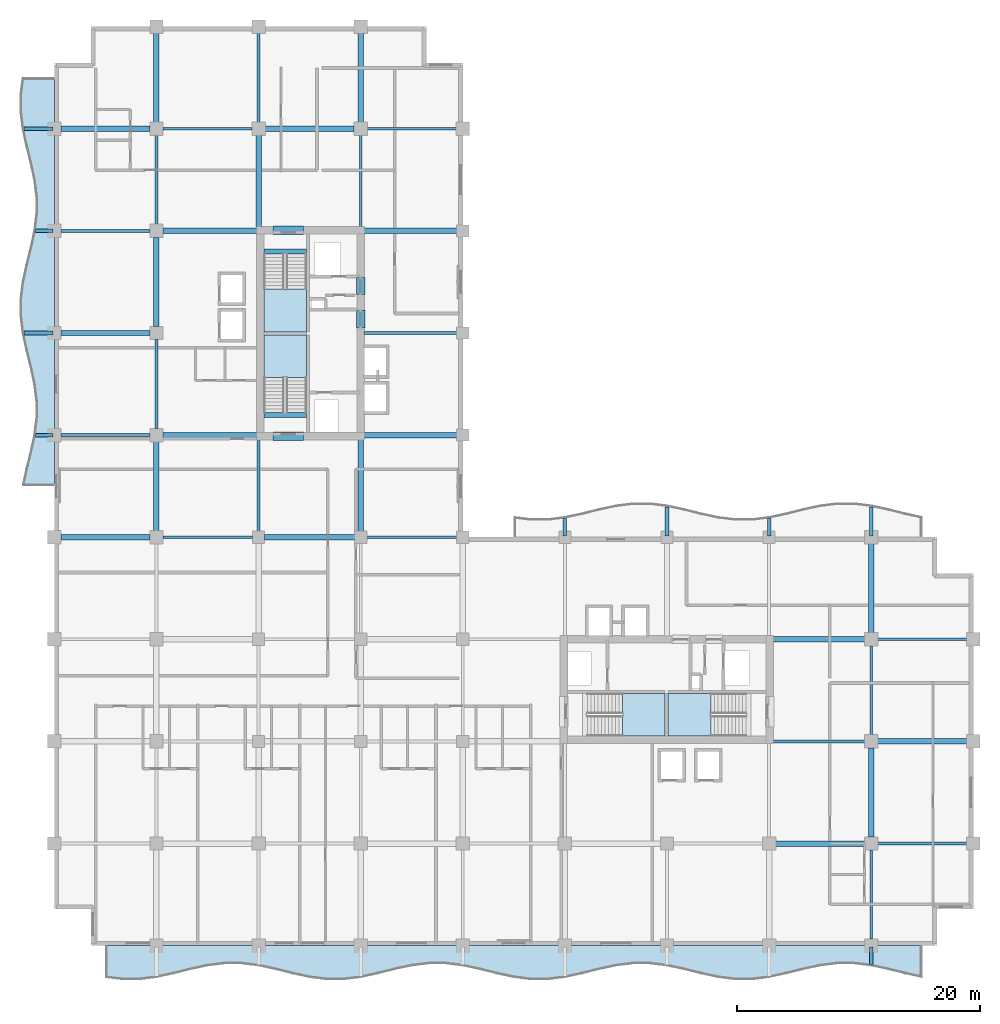
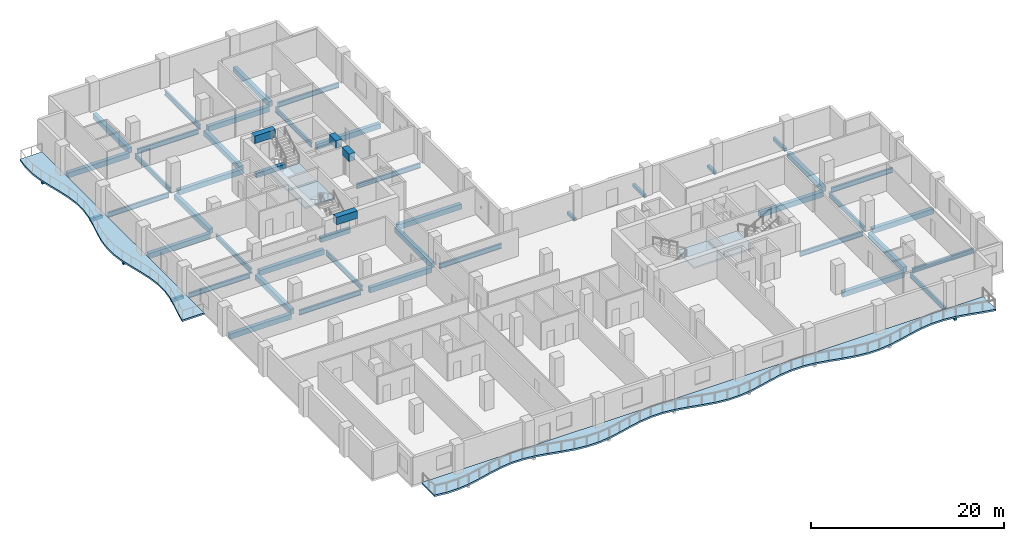
# One storey, part 2 of 14: 52 beams, 6 slabs, 4 elements without a shape of their own.
"""IFC4 building model written with IfcOpenShell, lengths in metres."""

import ifcopenshell
import ifcopenshell.guid

model = None  # the IFC model being written
_history = None  # IfcOwnerHistory: only IFC2X3 demands one
_inside = {}  # id of a spatial element -> (the spatial element, [elements in it])
_under = {}  # id of a project, library or spatial element -> (it, [spatial elements below it])
_declared = {}  # id of a project -> (the project, [libraries it declares])
_typed = {}  # id of a type object -> (the type object, [elements of that type])
_made_of = {}  # id of a material, layer set ... -> (it, [elements and type objects made of it])


def new_model(schema):
    """Start an empty IFC model of exactly this schema.

    Asked for "IFC4X3", IfcOpenShell would pick the latest addendum, in which some entities
    have other attributes; the version numbers below select the first issue.
    IFC2X3 requires an IfcOwnerHistory on every rooted entity: one is made here for all.
    """
    global model, _history
    if schema == "IFC4X3":
        model = ifcopenshell.file(schema_version=(4, 3, 0, 0))
    else:
        model = ifcopenshell.file(schema=schema)
    _inside.clear()
    _under.clear()
    _declared.clear()
    _typed.clear()
    _made_of.clear()
    _history = None
    if model.schema == "IFC2X3":
        org = make("IfcOrganization", Name="unknown")
        user = make(
            "IfcPersonAndOrganization",
            ThePerson=make("IfcPerson", FamilyName="unknown"),
            TheOrganization=org,
        )
        app = make(
            "IfcApplication",
            ApplicationDeveloper=org,
            Version="unknown",
            ApplicationFullName="unknown",
            ApplicationIdentifier="unknown",
        )
        _history = make(
            "IfcOwnerHistory",
            OwningUser=user,
            OwningApplication=app,
            ChangeAction="ADDED",
            CreationDate=0,
        )
    return model


def make(cls, **values):
    """One entity of the class cls with the attributes given. An attribute that is None is left unset."""
    return model.create_entity(
        cls, **{name: value for name, value in values.items() if value is not None}
    )


def rooted(cls, **values):
    """An entity with a GlobalId (a new one), such as an element, a storey or a relation."""
    return make(cls, GlobalId=ifcopenshell.guid.new(), OwnerHistory=_history, **values)


def si_unit(unit_type, name, prefix=None):
    """IfcSIUnit, for example si_unit("LENGTHUNIT", "METRE", prefix="MILLI")."""
    return make("IfcSIUnit", UnitType=unit_type, Prefix=prefix, Name=name)


def assignment(units):
    """IfcUnitAssignment: the units of a project."""
    return None if units is None else make("IfcUnitAssignment", Units=units)


def point(xyz):
    """IfcCartesianPoint."""
    return None if xyz is None else make("IfcCartesianPoint", Coordinates=xyz)


def direction(xyz):
    """IfcDirection."""
    return None if xyz is None else make("IfcDirection", DirectionRatios=xyz)


def frame(location, z_axis=None, x_axis=None):
    """IfcAxis2Placement3D, a coordinate frame: its origin and axes. An axis left out is left unset."""
    return make(
        "IfcAxis2Placement3D",
        Location=point(location),
        Axis=direction(z_axis),
        RefDirection=direction(x_axis),
    )


def frame_2d(location, x_axis=None):
    """IfcAxis2Placement2D, a coordinate frame in the plane: its origin and x axis."""
    return make(
        "IfcAxis2Placement2D", Location=point(location), RefDirection=direction(x_axis)
    )


def origin():
    """The frame at (0, 0, 0) with its axes left unset."""
    return frame((0.0, 0.0, 0.0))


def origin_2d():
    """The frame at (0, 0) in the plane with its x axis left unset."""
    return frame_2d((0.0, 0.0))


def place(relative_to, where):
    """IfcLocalPlacement: puts the frame where relative to a parent placement (None: the world)."""
    return make(
        "IfcLocalPlacement", PlacementRelTo=relative_to, RelativePlacement=where
    )


def context(
    kind, dimensions, precision=None, world=None, true_north=None, identifier=None
):
    """IfcGeometricRepresentationContext, for example the 3D "Model" context."""
    return make(
        "IfcGeometricRepresentationContext",
        ContextIdentifier=identifier,
        ContextType=kind,
        CoordinateSpaceDimension=dimensions,
        Precision=precision,
        WorldCoordinateSystem=world,
        TrueNorth=true_north,
    )


def subcontext(parent, identifier, kind, view, scale=None):
    """IfcGeometricRepresentationSubContext, for example "Body" below "Model"."""
    return make(
        "IfcGeometricRepresentationSubContext",
        ContextIdentifier=identifier,
        ContextType=kind,
        ParentContext=parent,
        TargetScale=scale,
        TargetView=view,
    )


def project(units=None, contexts=None):
    """IfcProject with its units and contexts."""
    return rooted(
        "IfcProject",
        Name="project",
        RepresentationContexts=contexts,
        UnitsInContext=assignment(units),
    )


def spatial(cls, under=None, at=None, **own):
    """A site, building, storey or space (cls), placed at a placement, below another one or the project."""
    s = rooted(cls, ObjectPlacement=at, **own)
    if under is not None:
        _under.setdefault(under.id(), (under, []))[1].append(s)
    return s


def polyline(points):
    """IfcPolyline through the points."""
    return make("IfcPolyline", Points=[point(p) for p in points])


def profile(cls, at=None, kind="AREA", **sizes):
    """A parametric profile (cls). Its sizes go by their IFC names, for example OverallWidth=200.0."""
    return make(cls, ProfileType=kind, Position=at, **sizes)


def rectangle(**sizes):
    """IfcRectangleProfileDef."""
    return profile("IfcRectangleProfileDef", **sizes)


def i_section(**sizes):
    """IfcIShapeProfileDef."""
    return profile("IfcIShapeProfileDef", **sizes)


def outline(outer, holes=None, kind="AREA"):
    """IfcArbitraryClosedProfileDef: a profile drawn as a closed curve; with holes, ...WithVoids."""
    if holes is None:
        return make("IfcArbitraryClosedProfileDef", ProfileType=kind, OuterCurve=outer)
    return make(
        "IfcArbitraryProfileDefWithVoids",
        ProfileType=kind,
        OuterCurve=outer,
        InnerCurves=holes,
    )


def extrude(swept, where, along, depth):
    """IfcExtrudedAreaSolid: the profile swept, set in the frame where, extruded along a direction by depth."""
    return make(
        "IfcExtrudedAreaSolid",
        SweptArea=swept,
        Position=where,
        ExtrudedDirection=direction(along),
        Depth=depth,
    )


def shape(context_of_items, identifier, shape_type, items):
    """IfcShapeRepresentation: the items that make up one representation, for example the "Body"."""
    return make(
        "IfcShapeRepresentation",
        ContextOfItems=context_of_items,
        RepresentationIdentifier=identifier,
        RepresentationType=shape_type,
        Items=items,
    )


def material(Name=None, Category=None):
    """IfcMaterial."""
    return make("IfcMaterial", Name=Name, Category=Category)


def layer(
    of_material, thickness, ventilated=None, Name=None, Category=None, Priority=None
):
    """IfcMaterialLayer: one layer of a wall or slab, of a material (None: an air gap)."""
    return make(
        "IfcMaterialLayer",
        Material=of_material,
        LayerThickness=thickness,
        IsVentilated=ventilated,
        Name=Name,
        Category=Category,
        Priority=Priority,
    )


def layer_set(layers, Name=None):
    """IfcMaterialLayerSet."""
    return make("IfcMaterialLayerSet", MaterialLayers=layers, LayerSetName=Name)


def material_profile(
    of_material, cross_section, Name=None, Category=None, Priority=None
):
    """IfcMaterialProfile: a cross section and its material."""
    return make(
        "IfcMaterialProfile",
        Name=Name,
        Material=of_material,
        Profile=cross_section,
        Priority=Priority,
        Category=Category,
    )


def profile_set(profiles, Name=None, composite=None):
    """IfcMaterialProfileSet."""
    return make(
        "IfcMaterialProfileSet",
        Name=Name,
        MaterialProfiles=profiles,
        CompositeProfile=composite,
    )


def made_of(thing, what):
    """Note that an element or type object is made of a material, layer set ...; save() writes the relation."""
    if what is not None:
        _made_of.setdefault(what.id(), (what, []))[1].append(thing)
    return thing


def type_object(cls, material=None, **own):
    """A type object (cls), such as IfcWallType, which elements share."""
    return made_of(rooted(cls, **own), material)


def element(
    cls,
    number,
    at=None,
    inside=None,
    cuts=None,
    type_object=None,
    material=None,
    context=None,
    identifier="Body",
    shape_type=None,
    held_by="IfcProductDefinitionShape",
    body=None,
    shapes=None,
    **own,
):
    """One element of the class cls, such as IfcWall. Its Tag is "e" and its number.

    at: its placement. inside: the storey or other place that contains it. cuts: it is an
    opening in that element (IfcRelVoidsElement). A single representation is given by context,
    identifier, shape_type and body (its items); several are given by shapes. held_by: the class
    of the entity that holds the representations. save() writes the other relations.
    """
    e = rooted(cls, Tag="e%d" % number, ObjectPlacement=at, **own)
    if body is not None:
        shapes = [shape(context, identifier, shape_type, body)]
    if shapes is not None:
        e.Representation = make(held_by, Representations=shapes)
    if inside is not None:
        _inside.setdefault(inside.id(), (inside, []))[1].append(e)
    if cuts is not None:
        rooted(
            "IfcRelVoidsElement", RelatingBuildingElement=cuts, RelatedOpeningElement=e
        )
    if type_object is not None:
        _typed.setdefault(type_object.id(), (type_object, []))[1].append(e)
    return made_of(e, material)


def aggregate(whole, parts):
    """IfcRelAggregates: a whole, such as a stair, and the parts it consists of."""
    return rooted("IfcRelAggregates", RelatingObject=whole, RelatedObjects=parts)


def save(model, path):
    """Write the relations noted so far, then the file.

    IfcRelAggregates (storeys below a building ...), IfcRelContainedInSpatialStructure (elements
    in a storey), IfcRelDefinesByType, IfcRelAssociatesMaterial and IfcRelDeclares: one each for
    every whole, place, type object, material and project.
    """
    for whole, parts in _under.values():
        aggregate(whole, parts)
    for where, things in _inside.values():
        rooted(
            "IfcRelContainedInSpatialStructure",
            RelatedElements=things,
            RelatingStructure=where,
        )
    for kind, things in _typed.values():
        rooted("IfcRelDefinesByType", RelatedObjects=things, RelatingType=kind)
    for what, things in _made_of.values():
        rooted("IfcRelAssociatesMaterial", RelatedObjects=things, RelatingMaterial=what)
    for by, libraries in _declared.values():
        rooted("IfcRelDeclares", RelatingContext=by, RelatedDefinitions=libraries)
    model.write(path)


model = new_model("IFC4")

# Units and contexts
model_context = context("Model", 3, precision=1e-05, world=origin(), true_north=direction((0.0, 1.0)))
body_context = subcontext(model_context, "Body", "Model", "MODEL_VIEW")
ifc_project = project(units=[si_unit("LENGTHUNIT", "METRE"), si_unit("AREAUNIT", "SQUARE_METRE"), si_unit("VOLUMEUNIT", "CUBIC_METRE"), si_unit("PLANEANGLEUNIT", "RADIAN"), si_unit("MASSUNIT", "GRAM", prefix="KILO")], contexts=[model_context])

# Site, building, storey
site_placement = place(None, origin())
site = spatial("IfcSite", under=ifc_project, at=site_placement, CompositionType="ELEMENT")
building_placement = place(site_placement, origin())
building = spatial("IfcBuilding", under=site, at=building_placement, Name="Koriwani Terraces Tower", CompositionType="ELEMENT")
storey_placement = place(building_placement, frame((0.0, 0.0, 208.699951171875)))
storey = spatial("IfcBuildingStorey", under=building, at=storey_placement, Name="L51", CompositionType="ELEMENT", Elevation=208.699951171875)

# Beams
ifc_material_1 = material(Name="Concrete C40/50", Category="concrete")
ifc_material_profile_1 = material_profile(ifc_material_1, rectangle(XDim=0.300048828125, YDim=0.39990234375, at=origin_2d()), Name="Concrete C40/50", Category="LoadBearing")
ifc_profile_set_1 = profile_set([ifc_material_profile_1], Name="Concrete C40/50")
beam_type_1 = type_object("IfcBeamType", Name="BEAM_RC_BALCONY_RIB_300X400", PredefinedType="JOIST", material=ifc_profile_set_1)
for number, where, z_axis, x_axis, name in (
    (1, (67.199951171875, -1.547607421875, -0.429931640625), (0.0, 1.0, 0.0), (-1.0, 0.0, 0.0), "L51 Balcony Bracket Rib S-8"),
    (2, (-1.547607421875, 42.0, -0.429931640625), (1.0, 0.0, 0.0), (0.0, 1.0, 0.0), "L51 Balcony Bracket Rib W-1"),
):
    element("IfcBeam", number, at=place(storey_placement, frame(where, z_axis=z_axis, x_axis=x_axis)), inside=storey, type_object=beam_type_1, Name=name, PredefinedType="JOIST", context=body_context, shape_type="SweptSolid", body=[
        extrude(rectangle(XDim=0.300048828125, YDim=0.39990234375, at=origin_2d()), origin(), (0.0, 0.0, 1.0), 1.447509765625),
    ])
beam_1_placement = place(storey_placement, frame((-2.502197265625, 50.39990234375, -0.429931640625), z_axis=(1.0, 0.0, 0.0), x_axis=(0.0, 1.0, 0.0)))
element("IfcBeam", 3, at=beam_1_placement, inside=storey, type_object=beam_type_1, Name="L51 Balcony Bracket Rib W-2", PredefinedType="JOIST", context=body_context, shape_type="SweptSolid", body=[
    extrude(rectangle(XDim=0.300048828125, YDim=0.39990234375, at=origin_2d()), origin(), (0.0, 0.0, 1.0), 2.402099609375),
])
beam_2_placement = place(storey_placement, frame((-1.547607421875, 58.800048828125, -0.429931640625), z_axis=(1.0, 0.0, 0.0), x_axis=(0.0, 1.0, 0.0)))
element("IfcBeam", 4, at=beam_2_placement, inside=storey, type_object=beam_type_1, Name="L51 Balcony Bracket Rib W-3", PredefinedType="JOIST", context=body_context, shape_type="SweptSolid", body=[
    extrude(rectangle(XDim=0.300048828125, YDim=0.39990234375, at=origin_2d()), origin(), (0.0, 0.0, 1.0), 1.447509765625),
])
beam_3_placement = place(storey_placement, frame((-2.502197265625, 67.199951171875, -0.429931640625), z_axis=(1.0, 0.0, 0.0), x_axis=(0.0, 1.0, 0.0)))
element("IfcBeam", 5, at=beam_3_placement, inside=storey, type_object=beam_type_1, Name="L51 Balcony Bracket Rib W-4", PredefinedType="JOIST", context=body_context, shape_type="SweptSolid", body=[
    extrude(rectangle(XDim=0.300048828125, YDim=0.39990234375, at=origin_2d()), origin(), (0.0, 0.0, 1.0), 2.402099609375),
])
beam_4_placement = place(storey_placement, frame((42.0, 33.699951171875, -0.429931640625), z_axis=(0.0, 1.0, 0.0), x_axis=(-1.0, 0.0, 0.0)))
element("IfcBeam", 6, at=beam_4_placement, inside=storey, type_object=beam_type_1, Name="L51 Balcony Bracket Rib NE-1", PredefinedType="JOIST", context=body_context, shape_type="SweptSolid", body=[
    extrude(rectangle(XDim=0.300048828125, YDim=0.39990234375, at=origin_2d()), origin(), (0.0, 0.0, 1.0), 1.44775390625),
])
beam_5_placement = place(storey_placement, frame((50.39990234375, 33.699951171875, -0.429931640625), z_axis=(0.0, 1.0, 0.0), x_axis=(-1.0, 0.0, 0.0)))
element("IfcBeam", 7, at=beam_5_placement, inside=storey, type_object=beam_type_1, Name="L51 Balcony Bracket Rib NE-2", PredefinedType="JOIST", context=body_context, shape_type="SweptSolid", body=[
    extrude(rectangle(XDim=0.300048828125, YDim=0.39990234375, at=origin_2d()), origin(), (0.0, 0.0, 1.0), 2.40234375),
])
beam_6_placement = place(storey_placement, frame((58.800048828125, 33.699951171875, -0.429931640625), z_axis=(0.0, 1.0, 0.0), x_axis=(-1.0, 0.0, 0.0)))
element("IfcBeam", 8, at=beam_6_placement, inside=storey, type_object=beam_type_1, Name="L51 Balcony Bracket Rib NE-3", PredefinedType="JOIST", context=body_context, shape_type="SweptSolid", body=[
    extrude(rectangle(XDim=0.300048828125, YDim=0.39990234375, at=origin_2d()), origin(), (0.0, 0.0, 1.0), 1.44775390625),
])
beam_7_placement = place(storey_placement, frame((67.199951171875, 33.699951171875, -0.429931640625), z_axis=(0.0, 1.0, 0.0), x_axis=(-1.0, 0.0, 0.0)))
element("IfcBeam", 9, at=beam_7_placement, inside=storey, type_object=beam_type_1, Name="L51 Balcony Bracket Rib NE-4", PredefinedType="JOIST", context=body_context, shape_type="SweptSolid", body=[
    extrude(rectangle(XDim=0.300048828125, YDim=0.39990234375, at=origin_2d()), origin(), (0.0, 0.0, 1.0), 2.40234375),
])
ifc_material_2 = material(Name="Concrete C60/75", Category="concrete")
ifc_material_profile_2 = material_profile(ifc_material_2, rectangle(XDim=0.699951171875, YDim=0.949951171875, at=origin_2d()), Name="Concrete C60/75", Category="LoadBearing")
ifc_profile_set_2 = profile_set([ifc_material_profile_2], Name="Concrete C60/75")
beam_type_2 = type_object("IfcBeamType", Name="BEAM_RC_COUPLING_700X950", PredefinedType="LINTEL", material=ifc_profile_set_2)
beam_8_placement = place(storey_placement, frame((25.199951171875, 50.800048828125, 2.9951171875), z_axis=(0.0, 1.0, 0.0), x_axis=(-1.0, 0.0, 0.0)))
element("IfcBeam", 10, at=beam_8_placement, inside=storey, type_object=beam_type_2, Name="L51 Core Coupling Lintel Beam WE1", PredefinedType="LINTEL", context=body_context, shape_type="SweptSolid", body=[
    extrude(rectangle(XDim=0.699951171875, YDim=0.949951171875, at=origin_2d()), origin(), (0.0, 0.0, 1.0), 1.47998046875),
])
beam_9_placement = place(storey_placement, frame((25.199951171875, 53.550048828125, 2.9951171875), z_axis=(0.0, 1.0, 0.0), x_axis=(-1.0, 0.0, 0.0)))
element("IfcBeam", 11, at=beam_9_placement, inside=storey, type_object=beam_type_2, Name="L51 Core Coupling Lintel Beam WE2", PredefinedType="LINTEL", context=body_context, shape_type="SweptSolid", body=[
    extrude(rectangle(XDim=0.699951171875, YDim=0.949951171875, at=origin_2d()), origin(), (0.0, 0.0, 1.0), 1.39990234375),
])
for number, where, z_axis, x_axis, name in (
    (12, (18.0, 41.89990234375, 2.9951171875), (1.0, 0.0, 0.0), (0.0, 1.0, 0.0), "L51 Core Coupling Lintel Beam WS"),
    (13, (18.0, 58.85009765625, 2.9951171875), (1.0, 0.0, 0.0), (0.0, 1.0, 0.0), "L51 Core Coupling Lintel Beam WN"),
):
    element("IfcBeam", number, at=place(storey_placement, frame(where, z_axis=z_axis, x_axis=x_axis)), inside=storey, type_object=beam_type_2, Name=name, PredefinedType="LINTEL", context=body_context, shape_type="SweptSolid", body=[
        extrude(rectangle(XDim=0.699951171875, YDim=0.949951171875, at=origin_2d()), origin(), (0.0, 0.0, 1.0), 2.5),
    ])
ifc_material_profile_3 = material_profile(ifc_material_1, rectangle(XDim=0.39990234375, YDim=0.60009765625, at=origin_2d()), Name="Concrete C40/50", Category="LoadBearing")
ifc_profile_set_3 = profile_set([ifc_material_profile_3], Name="Concrete C40/50")
beam_type_3 = type_object("IfcBeamType", Name="BEAM_RC_GRID_400X600", PredefinedType="BEAM", material=ifc_profile_set_3)
for number, where, z_axis, x_axis, name in (
    (14, (17.25, 43.655029296875, -0.300048828125), (1.0, 0.0, 0.0), (0.0, 1.0, 0.0), "L51 Stairwell Header Trimmer Beam ST-W1"),
    (15, (17.25, 57.094970703125, -0.300048828125), (1.0, 0.0, 0.0), (0.0, 1.0, 0.0), "L51 Stairwell Header Trimmer Beam ST-W2"),
):
    element("IfcBeam", number, at=place(storey_placement, frame(where, z_axis=z_axis, x_axis=x_axis)), inside=storey, type_object=beam_type_3, Name=name, PredefinedType="BEAM", context=body_context, shape_type="SweptSolid", body=[
        extrude(rectangle(XDim=0.39990234375, YDim=0.60009765625, at=origin_2d()), origin(), (0.0, 0.0, 1.0), 3.5),
    ])
ifc_material_3 = material(Name="Concrete C50/60", Category="concrete")
ifc_material_profile_4 = material_profile(ifc_material_3, rectangle(XDim=0.449951171875, YDim=0.64990234375, at=origin_2d()), Name="Concrete C50/60", Category="LoadBearing")
ifc_profile_set_4 = profile_set([ifc_material_profile_4], Name="Concrete C50/60")
beam_type_4 = type_object("IfcBeamType", Name="BEAM_RC_GRID_450X650", PredefinedType="BEAM", material=ifc_profile_set_4)
beam_10_placement = place(storey_placement, frame((59.330078125, 8.39990234375, -0.554931640625), z_axis=(1.0, 0.0, 0.0), x_axis=(0.0, 1.0, 0.0)))
element("IfcBeam", 16, at=beam_10_placement, inside=storey, type_object=beam_type_4, Name="L51 Grid Beam B (58.8-67.2m)", PredefinedType="BEAM", context=body_context, shape_type="SweptSolid", body=[
    extrude(rectangle(XDim=0.449951171875, YDim=0.64990234375, at=origin_2d()), origin(), (0.0, 0.0, 1.0), 7.33984375),
])
beam_11_placement = place(storey_placement, frame((67.72998046875, 16.800048828125, -0.554931640625), z_axis=(1.0, 0.0, 0.0), x_axis=(0.0, 1.0, 0.0)))
element("IfcBeam", 17, at=beam_11_placement, inside=storey, type_object=beam_type_4, Name="L51 Grid Beam C (67.2-75.6m)", PredefinedType="BEAM", context=body_context, shape_type="SweptSolid", body=[
    extrude(rectangle(XDim=0.449951171875, YDim=0.64990234375, at=origin_2d()), origin(), (0.0, 0.0, 1.0), 7.340087890625),
])
beam_12_placement = place(storey_placement, frame((59.1298828125, 25.199951171875, -0.554931640625), z_axis=(1.0, 0.0, 0.0), x_axis=(0.0, 1.0, 0.0)))
element("IfcBeam", 18, at=beam_12_placement, inside=storey, type_object=beam_type_4, Name="L51 Grid Beam D (58.8-67.2m)", PredefinedType="BEAM", context=body_context, shape_type="SweptSolid", body=[
    extrude(rectangle(XDim=0.449951171875, YDim=0.64990234375, at=origin_2d()), origin(), (0.0, 0.0, 1.0), 7.5400390625),
])
beam_13_placement = place(storey_placement, frame((0.530029296875, 33.60009765625, -0.554931640625), z_axis=(1.0, 0.0, 0.0), x_axis=(0.0, 1.0, 0.0)))
element("IfcBeam", 19, at=beam_13_placement, inside=storey, type_object=beam_type_4, Name="L51 Grid Beam E (0.0-8.4m)", PredefinedType="BEAM", context=body_context, shape_type="SweptSolid", body=[
    extrude(rectangle(XDim=0.449951171875, YDim=0.64990234375, at=origin_2d()), origin(), (0.0, 0.0, 1.0), 7.340087890625),
])
beam_14_placement = place(storey_placement, frame((17.280029296875, 33.60009765625, -0.554931640625), z_axis=(1.0, 0.0, 0.0), x_axis=(0.0, 1.0, 0.0)))
element("IfcBeam", 20, at=beam_14_placement, inside=storey, type_object=beam_type_4, Name="L51 Grid Beam E (16.8-25.2m)", PredefinedType="BEAM", context=body_context, shape_type="SweptSolid", body=[
    extrude(rectangle(XDim=0.449951171875, YDim=0.64990234375, at=origin_2d()), origin(), (0.0, 0.0, 1.0), 7.43994140625),
])
beam_15_placement = place(storey_placement, frame((8.929931640625, 42.0, -0.554931640625), z_axis=(1.0, 0.0, 0.0), x_axis=(0.0, 1.0, 0.0)))
element("IfcBeam", 21, at=beam_15_placement, inside=storey, type_object=beam_type_4, Name="L51 Grid Beam F (8.4-16.8m)", PredefinedType="BEAM", context=body_context, shape_type="SweptSolid", body=[
    extrude(rectangle(XDim=0.449951171875, YDim=0.64990234375, at=origin_2d()), origin(), (0.0, 0.0, 1.0), 7.739990234375),
])
beam_16_placement = place(storey_placement, frame((25.47998046875, 42.0, -0.554931640625), z_axis=(1.0, 0.0, 0.0), x_axis=(0.0, 1.0, 0.0)))
element("IfcBeam", 22, at=beam_16_placement, inside=storey, type_object=beam_type_4, Name="L51 Grid Beam F (25.2-33.6m)", PredefinedType="BEAM", context=body_context, shape_type="SweptSolid", body=[
    extrude(rectangle(XDim=0.449951171875, YDim=0.64990234375, at=origin_2d()), origin(), (0.0, 0.0, 1.0), 7.64013671875),
])
beam_17_placement = place(storey_placement, frame((0.530029296875, 50.39990234375, -0.554931640625), z_axis=(1.0, 0.0, 0.0), x_axis=(0.0, 1.0, 0.0)))
element("IfcBeam", 23, at=beam_17_placement, inside=storey, type_object=beam_type_4, Name="L51 Grid Beam G (0.0-8.4m)", PredefinedType="BEAM", context=body_context, shape_type="SweptSolid", body=[
    extrude(rectangle(XDim=0.449951171875, YDim=0.64990234375, at=origin_2d()), origin(), (0.0, 0.0, 1.0), 7.340087890625),
])
beam_18_placement = place(storey_placement, frame((8.929931640625, 58.800048828125, -0.554931640625), z_axis=(1.0, 0.0, 0.0), x_axis=(0.0, 1.0, 0.0)))
element("IfcBeam", 24, at=beam_18_placement, inside=storey, type_object=beam_type_4, Name="L51 Grid Beam H (8.4-16.8m)", PredefinedType="BEAM", context=body_context, shape_type="SweptSolid", body=[
    extrude(rectangle(XDim=0.449951171875, YDim=0.64990234375, at=origin_2d()), origin(), (0.0, 0.0, 1.0), 7.739990234375),
])
beam_19_placement = place(storey_placement, frame((25.47998046875, 58.800048828125, -0.554931640625), z_axis=(1.0, 0.0, 0.0), x_axis=(0.0, 1.0, 0.0)))
element("IfcBeam", 25, at=beam_19_placement, inside=storey, type_object=beam_type_4, Name="L51 Grid Beam H (25.2-33.6m)", PredefinedType="BEAM", context=body_context, shape_type="SweptSolid", body=[
    extrude(rectangle(XDim=0.449951171875, YDim=0.64990234375, at=origin_2d()), origin(), (0.0, 0.0, 1.0), 7.64013671875),
])
beam_20_placement = place(storey_placement, frame((0.530029296875, 67.199951171875, -0.554931640625), z_axis=(1.0, 0.0, 0.0), x_axis=(0.0, 1.0, 0.0)))
element("IfcBeam", 26, at=beam_20_placement, inside=storey, type_object=beam_type_4, Name="L51 Grid Beam I (0.0-8.4m)", PredefinedType="BEAM", context=body_context, shape_type="SweptSolid", body=[
    extrude(rectangle(XDim=0.449951171875, YDim=0.64990234375, at=origin_2d()), origin(), (0.0, 0.0, 1.0), 7.340087890625),
])
beam_21_placement = place(storey_placement, frame((17.330078125, 67.199951171875, -0.554931640625), z_axis=(1.0, 0.0, 0.0), x_axis=(0.0, 1.0, 0.0)))
element("IfcBeam", 27, at=beam_21_placement, inside=storey, type_object=beam_type_4, Name="L51 Grid Beam I (16.8-25.2m)", PredefinedType="BEAM", context=body_context, shape_type="SweptSolid", body=[
    extrude(rectangle(XDim=0.449951171875, YDim=0.64990234375, at=origin_2d()), origin(), (0.0, 0.0, 1.0), 7.33984375),
])
for number, where, z_axis, x_axis, name in (
    (28, (8.39990234375, 34.1298828125, -0.554931640625), (0.0, 1.0, 0.0), (-1.0, 0.0, 0.0), "L51 Grid Beam 2 (33.6-42.0m)"),
    (29, (8.39990234375, 50.929931640625, -0.554931640625), (0.0, 1.0, 0.0), (-1.0, 0.0, 0.0), "L51 Grid Beam 2 (50.4-58.8m)"),
    (30, (8.39990234375, 67.72998046875, -0.554931640625), (0.0, 1.0, 0.0), (-1.0, 0.0, 0.0), "L51 Grid Beam 2 (67.2-75.6m)"),
):
    element("IfcBeam", number, at=place(storey_placement, frame(where, z_axis=z_axis, x_axis=x_axis)), inside=storey, type_object=beam_type_4, Name=name, PredefinedType="BEAM", context=body_context, shape_type="SweptSolid", body=[
        extrude(rectangle(XDim=0.449951171875, YDim=0.64990234375, at=origin_2d()), origin(), (0.0, 0.0, 1.0), 7.340087890625),
    ])
for number, where, z_axis, x_axis, name in (
    (31, (16.800048828125, 59.1298828125, -0.554931640625), (0.0, 1.0, 0.0), (-1.0, 0.0, 0.0), "L51 Grid Beam 3 (58.8-67.2m)"),
    (32, (25.199951171875, 34.080078125, -0.554931640625), (0.0, 1.0, 0.0), (-1.0, 0.0, 0.0), "L51 Grid Beam 4 (33.6-42.0m)"),
):
    element("IfcBeam", number, at=place(storey_placement, frame(where, z_axis=z_axis, x_axis=x_axis)), inside=storey, type_object=beam_type_4, Name=name, PredefinedType="BEAM", context=body_context, shape_type="SweptSolid", body=[
        extrude(rectangle(XDim=0.449951171875, YDim=0.64990234375, at=origin_2d()), origin(), (0.0, 0.0, 1.0), 7.5400390625),
    ])
for number, where, z_axis, x_axis, name in (
    (33, (25.199951171875, 67.72998046875, -0.554931640625), (0.0, 1.0, 0.0), (-1.0, 0.0, 0.0), "L51 Grid Beam 4 (67.2-75.6m)"),
    (34, (67.199951171875, 8.929931640625, -0.554931640625), (0.0, 1.0, 0.0), (-1.0, 0.0, 0.0), "L51 Grid Beam 9 (8.4-16.8m)"),
    (35, (67.199951171875, 25.72998046875, -0.554931640625), (0.0, 1.0, 0.0), (-1.0, 0.0, 0.0), "L51 Grid Beam 9 (25.2-33.6m)"),
):
    element("IfcBeam", number, at=place(storey_placement, frame(where, z_axis=z_axis, x_axis=x_axis)), inside=storey, type_object=beam_type_4, Name=name, PredefinedType="BEAM", context=body_context, shape_type="SweptSolid", body=[
        extrude(rectangle(XDim=0.449951171875, YDim=0.64990234375, at=origin_2d()), origin(), (0.0, 0.0, 1.0), 7.340087890625),
    ])
ifc_material_4 = material(Name="Steel ASTM A572 Grade 50", Category="steel")
ifc_material_profile_5 = material_profile(ifc_material_4, i_section(OverallWidth=0.22900390625, OverallDepth=0.611083984375, WebThickness=0.0126953125, FlangeThickness=0.022216796875, at=origin_2d()), Name="Steel ASTM A572 Grade 50", Category="LoadBearing")
ifc_profile_set_5 = profile_set([ifc_material_profile_5], Name="Steel ASTM A572 Grade 50")
beam_type_5 = type_object("IfcBeamType", Name="STEEL_BEAM_W610X155", PredefinedType="BEAM", material=ifc_profile_set_5)
beam_22_placement = place(storey_placement, frame((67.72998046875, 8.39990234375, -0.535400390625), z_axis=(1.0, 0.0, 0.0), x_axis=(0.0, 1.0, 0.0)))
element("IfcBeam", 36, at=beam_22_placement, inside=storey, type_object=beam_type_5, Name="L51 Grid Beam B (67.2-75.6m)", PredefinedType="BEAM", context=body_context, shape_type="SweptSolid", body=[
    extrude(i_section(OverallWidth=0.22900390625, OverallDepth=0.611083984375, WebThickness=0.0126953125, FlangeThickness=0.022216796875, at=origin_2d()), origin(), (0.0, 0.0, 1.0), 7.340087890625),
])
beam_23_placement = place(storey_placement, frame((59.1298828125, 16.800048828125, -0.535400390625), z_axis=(1.0, 0.0, 0.0), x_axis=(0.0, 1.0, 0.0)))
element("IfcBeam", 37, at=beam_23_placement, inside=storey, type_object=beam_type_5, Name="L51 Grid Beam C (58.8-67.2m)", PredefinedType="BEAM", context=body_context, shape_type="SweptSolid", body=[
    extrude(i_section(OverallWidth=0.22900390625, OverallDepth=0.611083984375, WebThickness=0.0126953125, FlangeThickness=0.022216796875, at=origin_2d()), origin(), (0.0, 0.0, 1.0), 7.5400390625),
])
beam_24_placement = place(storey_placement, frame((67.72998046875, 25.199951171875, -0.535400390625), z_axis=(1.0, 0.0, 0.0), x_axis=(0.0, 1.0, 0.0)))
element("IfcBeam", 38, at=beam_24_placement, inside=storey, type_object=beam_type_5, Name="L51 Grid Beam D (67.2-75.6m)", PredefinedType="BEAM", context=body_context, shape_type="SweptSolid", body=[
    extrude(i_section(OverallWidth=0.22900390625, OverallDepth=0.611083984375, WebThickness=0.0126953125, FlangeThickness=0.022216796875, at=origin_2d()), origin(), (0.0, 0.0, 1.0), 7.340087890625),
])
beam_25_placement = place(storey_placement, frame((8.929931640625, 33.60009765625, -0.535400390625), z_axis=(1.0, 0.0, 0.0), x_axis=(0.0, 1.0, 0.0)))
element("IfcBeam", 39, at=beam_25_placement, inside=storey, type_object=beam_type_5, Name="L51 Grid Beam E (8.4-16.8m)", PredefinedType="BEAM", context=body_context, shape_type="SweptSolid", body=[
    extrude(i_section(OverallWidth=0.22900390625, OverallDepth=0.611083984375, WebThickness=0.0126953125, FlangeThickness=0.022216796875, at=origin_2d()), origin(), (0.0, 0.0, 1.0), 7.39013671875),
])
beam_26_placement = place(storey_placement, frame((25.679931640625, 33.60009765625, -0.535400390625), z_axis=(1.0, 0.0, 0.0), x_axis=(0.0, 1.0, 0.0)))
element("IfcBeam", 40, at=beam_26_placement, inside=storey, type_object=beam_type_5, Name="L51 Grid Beam E (25.2-33.6m)", PredefinedType="BEAM", context=body_context, shape_type="SweptSolid", body=[
    extrude(i_section(OverallWidth=0.22900390625, OverallDepth=0.611083984375, WebThickness=0.0126953125, FlangeThickness=0.022216796875, at=origin_2d()), origin(), (0.0, 0.0, 1.0), 7.440185546875),
])
beam_27_placement = place(storey_placement, frame((0.530029296875, 42.0, -0.535400390625), z_axis=(1.0, 0.0, 0.0), x_axis=(0.0, 1.0, 0.0)))
element("IfcBeam", 41, at=beam_27_placement, inside=storey, type_object=beam_type_5, Name="L51 Grid Beam F (0.0-8.4m)", PredefinedType="BEAM", context=body_context, shape_type="SweptSolid", body=[
    extrude(i_section(OverallWidth=0.22900390625, OverallDepth=0.611083984375, WebThickness=0.0126953125, FlangeThickness=0.022216796875, at=origin_2d()), origin(), (0.0, 0.0, 1.0), 7.340087890625),
])
beam_28_placement = place(storey_placement, frame((25.47998046875, 50.39990234375, -0.535400390625), z_axis=(1.0, 0.0, 0.0), x_axis=(0.0, 1.0, 0.0)))
element("IfcBeam", 42, at=beam_28_placement, inside=storey, type_object=beam_type_5, Name="L51 Grid Beam G (25.2-33.6m)", PredefinedType="BEAM", context=body_context, shape_type="SweptSolid", body=[
    extrude(i_section(OverallWidth=0.22900390625, OverallDepth=0.611083984375, WebThickness=0.0126953125, FlangeThickness=0.022216796875, at=origin_2d()), origin(), (0.0, 0.0, 1.0), 7.64013671875),
])
for number, where, z_axis, x_axis, name in (
    (43, (0.530029296875, 58.800048828125, -0.535400390625), (1.0, 0.0, 0.0), (0.0, 1.0, 0.0), "L51 Grid Beam H (0.0-8.4m)"),
    (44, (8.929931640625, 67.199951171875, -0.535400390625), (1.0, 0.0, 0.0), (0.0, 1.0, 0.0), "L51 Grid Beam I (8.4-16.8m)"),
    (45, (25.72998046875, 67.199951171875, -0.535400390625), (1.0, 0.0, 0.0), (0.0, 1.0, 0.0), "L51 Grid Beam I (25.2-33.6m)"),
    (46, (8.39990234375, 42.530029296875, -0.535400390625), (0.0, 1.0, 0.0), (-1.0, 0.0, 0.0), "L51 Grid Beam 2 (42.0-50.4m)"),
):
    element("IfcBeam", number, at=place(storey_placement, frame(where, z_axis=z_axis, x_axis=x_axis)), inside=storey, type_object=beam_type_5, Name=name, PredefinedType="BEAM", context=body_context, shape_type="SweptSolid", body=[
        extrude(i_section(OverallWidth=0.22900390625, OverallDepth=0.611083984375, WebThickness=0.0126953125, FlangeThickness=0.022216796875, at=origin_2d()), origin(), (0.0, 0.0, 1.0), 7.340087890625),
    ])
beam_29_placement = place(storey_placement, frame((8.39990234375, 59.330078125, -0.535400390625), z_axis=(0.0, 1.0, 0.0), x_axis=(-1.0, 0.0, 0.0)))
element("IfcBeam", 47, at=beam_29_placement, inside=storey, type_object=beam_type_5, Name="L51 Grid Beam 2 (58.8-67.2m)", PredefinedType="BEAM", context=body_context, shape_type="SweptSolid", body=[
    extrude(i_section(OverallWidth=0.22900390625, OverallDepth=0.611083984375, WebThickness=0.0126953125, FlangeThickness=0.022216796875, at=origin_2d()), origin(), (0.0, 0.0, 1.0), 7.33984375),
])
beam_30_placement = place(storey_placement, frame((16.800048828125, 34.080078125, -0.535400390625), z_axis=(0.0, 1.0, 0.0), x_axis=(-1.0, 0.0, 0.0)))
element("IfcBeam", 48, at=beam_30_placement, inside=storey, type_object=beam_type_5, Name="L51 Grid Beam 3 (33.6-42.0m)", PredefinedType="BEAM", context=body_context, shape_type="SweptSolid", body=[
    extrude(i_section(OverallWidth=0.22900390625, OverallDepth=0.611083984375, WebThickness=0.0126953125, FlangeThickness=0.022216796875, at=origin_2d()), origin(), (0.0, 0.0, 1.0), 7.5400390625),
])
beam_31_placement = place(storey_placement, frame((16.800048828125, 67.72998046875, -0.535400390625), z_axis=(0.0, 1.0, 0.0), x_axis=(-1.0, 0.0, 0.0)))
element("IfcBeam", 49, at=beam_31_placement, inside=storey, type_object=beam_type_5, Name="L51 Grid Beam 3 (67.2-75.6m)", PredefinedType="BEAM", context=body_context, shape_type="SweptSolid", body=[
    extrude(i_section(OverallWidth=0.22900390625, OverallDepth=0.611083984375, WebThickness=0.0126953125, FlangeThickness=0.022216796875, at=origin_2d()), origin(), (0.0, 0.0, 1.0), 7.340087890625),
])
beam_32_placement = place(storey_placement, frame((25.199951171875, 59.1298828125, -0.535400390625), z_axis=(0.0, 1.0, 0.0), x_axis=(-1.0, 0.0, 0.0)))
element("IfcBeam", 50, at=beam_32_placement, inside=storey, type_object=beam_type_5, Name="L51 Grid Beam 4 (58.8-67.2m)", PredefinedType="BEAM", context=body_context, shape_type="SweptSolid", body=[
    extrude(i_section(OverallWidth=0.22900390625, OverallDepth=0.611083984375, WebThickness=0.0126953125, FlangeThickness=0.022216796875, at=origin_2d()), origin(), (0.0, 0.0, 1.0), 7.5400390625),
])
beam_33_placement = place(storey_placement, frame((67.199951171875, 0.530029296875, -0.535400390625), z_axis=(0.0, 1.0, 0.0), x_axis=(-1.0, 0.0, 0.0)))
element("IfcBeam", 51, at=beam_33_placement, inside=storey, type_object=beam_type_5, Name="L51 Grid Beam 9 (0.0-8.4m)", PredefinedType="BEAM", context=body_context, shape_type="SweptSolid", body=[
    extrude(i_section(OverallWidth=0.22900390625, OverallDepth=0.611083984375, WebThickness=0.0126953125, FlangeThickness=0.022216796875, at=origin_2d()), origin(), (0.0, 0.0, 1.0), 7.340087890625),
])
beam_34_placement = place(storey_placement, frame((67.199951171875, 17.330078125, -0.535400390625), z_axis=(0.0, 1.0, 0.0), x_axis=(-1.0, 0.0, 0.0)))
element("IfcBeam", 52, at=beam_34_placement, inside=storey, type_object=beam_type_5, Name="L51 Grid Beam 9 (16.8-25.2m)", PredefinedType="BEAM", context=body_context, shape_type="SweptSolid", body=[
    extrude(i_section(OverallWidth=0.22900390625, OverallDepth=0.611083984375, WebThickness=0.0126953125, FlangeThickness=0.022216796875, at=origin_2d()), origin(), (0.0, 0.0, 1.0), 7.33984375),
])

# Slabs
ifc_layer_1 = layer(ifc_material_1, 0.219970703125, Name="Concrete C40/50")
ifc_layer_set_1 = layer_set([ifc_layer_1], Name="Concrete C40/50")
slab_type_1 = type_object("IfcSlabType", Name="SLAB_BALCONY_220", PredefinedType="FLOOR", material=ifc_layer_set_1)
slab_1_placement = place(storey_placement, frame((0.0, 0.0, -0.219970703125)))
element("IfcSlab", 53, at=slab_1_placement, inside=storey, type_object=slab_type_1, Name="L51 Quilted Circular-Arc Balcony (S)", PredefinedType="FLOOR", context=body_context, shape_type="SweptSolid", body=[
    extrude(outline(polyline([(4.199951171875, 0.0), (5.60009765625, 0.0), (7.0, 0.0), (8.39990234375, 0.0), (9.800048828125, 0.0), (11.199951171875, 0.0), (12.60009765625, 0.0), (14.0, 0.0), (15.39990234375, 0.0), (16.800048828125, 0.0), (18.199951171875, 0.0), (19.60009765625, 0.0), (21.0, 0.0), (22.39990234375, 0.0), (23.800048828125, 0.0), (25.199951171875, 0.0), (26.60009765625, 0.0), (28.0, 0.0), (29.39990234375, 0.0), (30.800048828125, 0.0), (32.199951171875, 0.0), (33.60009765625, 0.0), (35.0, 0.0), (36.39990234375, 0.0), (37.800048828125, 0.0), (39.199951171875, 0.0), (40.60009765625, 0.0), (42.0, 0.0), (43.39990234375, 0.0), (44.800048828125, 0.0), (46.199951171875, 0.0), (47.60009765625, 0.0), (49.0, 0.0), (50.39990234375, 0.0), (51.800048828125, 0.0), (53.199951171875, 0.0), (54.60009765625, 0.0), (56.0, 0.0), (57.39990234375, 0.0), (58.800048828125, 0.0), (60.199951171875, 0.0), (61.60009765625, 0.0), (63.0, 0.0), (64.39990234375, 0.0), (65.800048828125, 0.0), (67.199951171875, 0.0), (68.60009765625, 0.0), (70.0, 0.0), (71.39990234375, 0.0), (71.39990234375, -2.65234375), (70.0, -2.349609375), (68.60009765625, -2.000244140625), (67.199951171875, -1.69775390625), (65.800048828125, -1.52294921875), (64.39990234375, -1.52294921875), (63.0, -1.69775390625), (61.60009765625, -2.000244140625), (60.199951171875, -2.349609375), (58.800048828125, -2.65234375), (57.39990234375, -2.826904296875), (56.0, -2.826904296875), (54.60009765625, -2.65234375), (53.199951171875, -2.349609375), (51.800048828125, -2.000244140625), (50.39990234375, -1.69775390625), (49.0, -1.52294921875), (47.60009765625, -1.52294921875), (46.199951171875, -1.69775390625), (44.800048828125, -2.000244140625), (43.39990234375, -2.349609375), (42.0, -2.65234375), (40.60009765625, -2.826904296875), (39.199951171875, -2.826904296875), (37.800048828125, -2.65234375), (36.39990234375, -2.349609375), (35.0, -2.000244140625), (33.60009765625, -1.69775390625), (32.199951171875, -1.52294921875), (30.800048828125, -1.52294921875), (29.39990234375, -1.69775390625), (28.0, -2.000244140625), (26.60009765625, -2.349609375), (25.199951171875, -2.65234375), (23.800048828125, -2.826904296875), (22.39990234375, -2.826904296875), (21.0, -2.65234375), (19.60009765625, -2.349609375), (18.199951171875, -2.000244140625), (16.800048828125, -1.69775390625), (15.39990234375, -1.52294921875), (14.0, -1.52294921875), (12.60009765625, -1.69775390625), (11.199951171875, -2.000244140625), (9.800048828125, -2.349609375), (8.39990234375, -2.65234375), (7.0, -2.826904296875), (5.60009765625, -2.826904296875), (4.199951171875, -2.65234375), (4.199951171875, 0.0)])), origin(), (0.0, 0.0, 1.0), 0.219970703125),
])
slab_2_placement = place(storey_placement, frame((0.0, 0.0, -0.219970703125)))
element("IfcSlab", 54, at=slab_2_placement, inside=storey, type_object=slab_type_1, Name="L51 Quilted Circular-Arc Balcony (W)", PredefinedType="FLOOR", context=body_context, shape_type="SweptSolid", body=[
    extrude(outline(polyline([(0.0, 37.800048828125), (0.0, 39.199951171875), (0.0, 40.60009765625), (0.0, 42.0), (0.0, 43.39990234375), (0.0, 44.800048828125), (0.0, 46.199951171875), (0.0, 47.60009765625), (0.0, 49.0), (0.0, 50.39990234375), (0.0, 51.800048828125), (0.0, 53.199951171875), (0.0, 54.60009765625), (0.0, 56.0), (0.0, 57.39990234375), (0.0, 58.800048828125), (0.0, 60.199951171875), (0.0, 61.60009765625), (0.0, 63.0), (0.0, 64.39990234375), (0.0, 65.800048828125), (0.0, 67.199951171875), (0.0, 68.60009765625), (0.0, 70.0), (0.0, 71.39990234375), (-2.65234375, 71.39990234375), (-2.826904296875, 70.0), (-2.826904296875, 68.60009765625), (-2.65234375, 67.199951171875), (-2.349609375, 65.800048828125), (-2.000244140625, 64.39990234375), (-1.69775390625, 63.0), (-1.52294921875, 61.60009765625), (-1.52294921875, 60.199951171875), (-1.69775390625, 58.800048828125), (-2.000244140625, 57.39990234375), (-2.349609375, 56.0), (-2.65234375, 54.60009765625), (-2.826904296875, 53.199951171875), (-2.826904296875, 51.800048828125), (-2.65234375, 50.39990234375), (-2.349609375, 49.0), (-2.000244140625, 47.60009765625), (-1.69775390625, 46.199951171875), (-1.52294921875, 44.800048828125), (-1.52294921875, 43.39990234375), (-1.69775390625, 42.0), (-2.000244140625, 40.60009765625), (-2.349609375, 39.199951171875), (-2.65234375, 37.800048828125), (0.0, 37.800048828125)])), origin(), (0.0, 0.0, 1.0), 0.219970703125),
])

# Stair, slab
stair_type = type_object("IfcStairType", Name="STAIR_CORE_DOGLEG_1650", PredefinedType="TWO_STRAIGHT_RUN_STAIR", material=ifc_material_1)
stair_1_placement = place(storey_placement, origin())
stair_1 = element("IfcStair", 55, at=stair_1_placement, inside=storey, type_object=stair_type, Name="L51 West Core Exit Stair 1", PredefinedType="HALF_TURN_STAIR")
ifc_layer_2 = layer(ifc_material_1, 0.199951171875, Name="Concrete C40/50")
ifc_layer_set_2 = layer_set([ifc_layer_2], Name="Concrete C40/50")
slab_type_2 = type_object("IfcSlabType", Name="SLAB_STAIR_LANDING_200", PredefinedType="LANDING", material=ifc_layer_set_2)
slab_3_placement = place(storey_placement, frame((0.0, 0.0, 1.650146484375)))
slab_3 = element("IfcSlab", 56, at=slab_3_placement, type_object=slab_type_2, Name="ST-W1 landing 1", PredefinedType="LANDING", context=body_context, shape_type="SweptSolid", body=[
    extrude(outline(polyline([(20.75, 46.75), (20.75, 50.25), (17.25, 50.25), (17.25, 46.75), (20.75, 46.75)])), origin(), (0.0, 0.0, 1.0), 0.199951171875),
])
aggregate(stair_1, [slab_3])

stair_2_placement = place(storey_placement, origin())
stair_2 = element("IfcStair", 57, at=stair_2_placement, inside=storey, type_object=stair_type, Name="L51 West Core Exit Stair 2", PredefinedType="HALF_TURN_STAIR")
slab_4_placement = place(storey_placement, frame((0.0, 0.0, 1.650146484375)))
slab_4 = element("IfcSlab", 58, at=slab_4_placement, type_object=slab_type_2, Name="ST-W2 landing 1", PredefinedType="LANDING", context=body_context, shape_type="SweptSolid", body=[
    extrude(outline(polyline([(17.25, 54.0), (17.25, 50.5), (20.75, 50.5), (20.75, 54.0), (17.25, 54.0)])), origin(), (0.0, 0.0, 1.0), 0.199951171875),
])
aggregate(stair_2, [slab_4])

stair_3_placement = place(storey_placement, origin())
stair_3 = element("IfcStair", 59, at=stair_3_placement, inside=storey, type_object=stair_type, Name="L51 East Core Exit Stair 1", PredefinedType="HALF_TURN_STAIR")
slab_5_placement = place(storey_placement, frame((0.0, 0.0, 1.650146484375)))
slab_5 = element("IfcSlab", 60, at=slab_5_placement, type_object=slab_type_2, Name="ST-E1 landing 1", PredefinedType="LANDING", context=body_context, shape_type="SweptSolid", body=[
    extrude(outline(polyline([(46.75, 17.25), (50.25, 17.25), (50.25, 20.75), (46.75, 20.75), (46.75, 17.25)])), origin(), (0.0, 0.0, 1.0), 0.199951171875),
])
aggregate(stair_3, [slab_5])

stair_4_placement = place(storey_placement, origin())
stair_4 = element("IfcStair", 61, at=stair_4_placement, inside=storey, type_object=stair_type, Name="L51 East Core Exit Stair 2", PredefinedType="HALF_TURN_STAIR")
slab_6_placement = place(storey_placement, frame((0.0, 0.0, 1.650146484375)))
slab_6 = element("IfcSlab", 62, at=slab_6_placement, type_object=slab_type_2, Name="ST-E2 landing 1", PredefinedType="LANDING", context=body_context, shape_type="SweptSolid", body=[
    extrude(outline(polyline([(54.0, 20.75), (50.5, 20.75), (50.5, 17.25), (54.0, 17.25), (54.0, 20.75)])), origin(), (0.0, 0.0, 1.0), 0.199951171875),
])
aggregate(stair_4, [slab_6])

save(model, "model.ifc")
